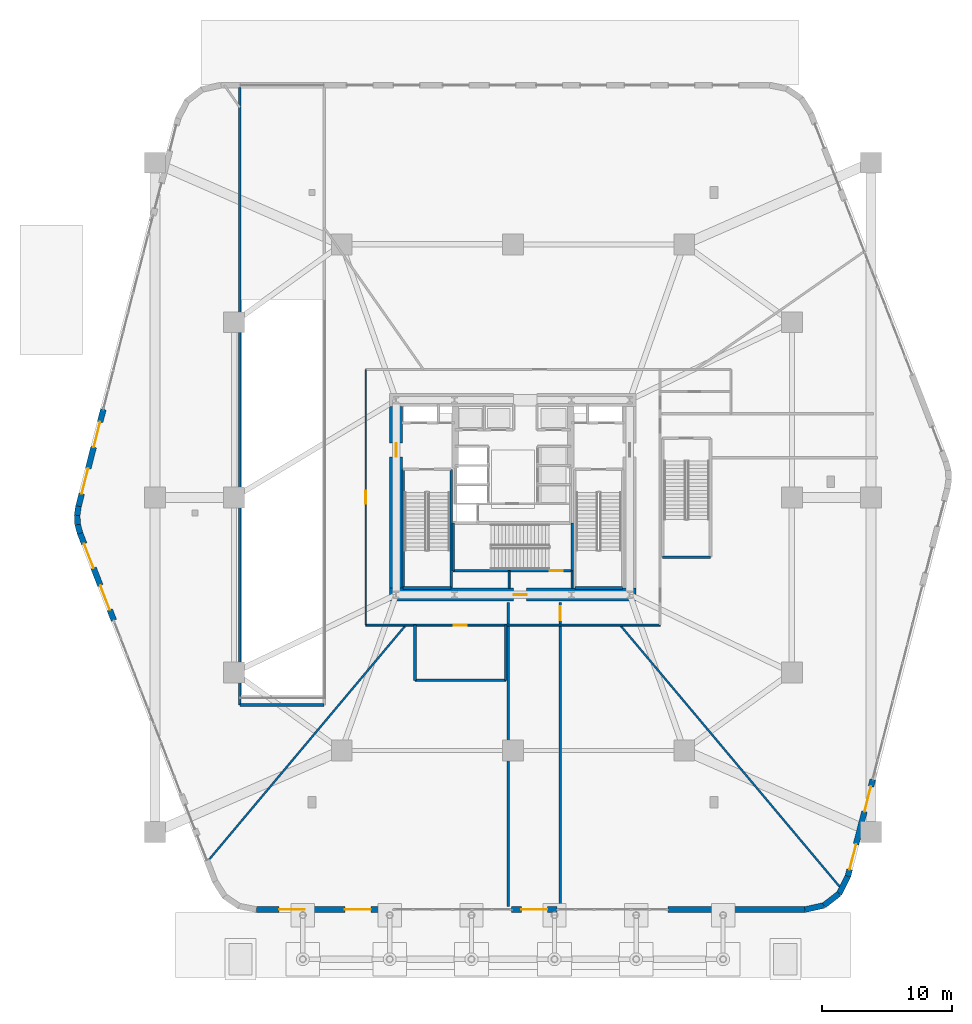
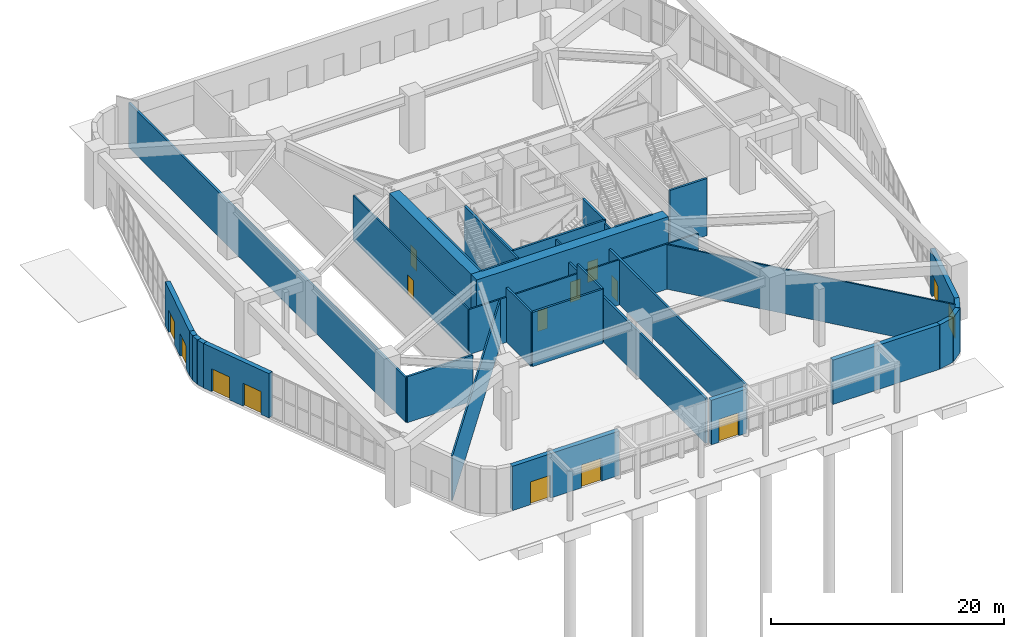
# One storey, part 24 of 35: 35 walls, 15 doors, 15 openings.
"""IFC4 building model written with IfcOpenShell, lengths in metres."""

from ifc_helpers import new_model, si_unit, direction, frame, frame_2d, origin, place, context, subcontext, project, spatial, rectangle, extrude, material, layer, layer_set, type_object, element, fill, save


model = new_model("IFC4")

# Units and contexts
model_context = context("Model", 3, precision=1e-05, world=origin(), true_north=direction((0.0, 1.0)))
body_context = subcontext(model_context, "Body", "Model", "MODEL_VIEW")
ifc_project = project(units=[si_unit("LENGTHUNIT", "METRE"), si_unit("AREAUNIT", "SQUARE_METRE"), si_unit("VOLUMEUNIT", "CUBIC_METRE"), si_unit("PLANEANGLEUNIT", "RADIAN"), si_unit("MASSUNIT", "GRAM", prefix="KILO")], contexts=[model_context])

# Site, building, storey
site_placement = place(None, origin())
site = spatial("IfcSite", under=ifc_project, at=site_placement, CompositionType="ELEMENT")
building_placement = place(site_placement, origin())
building = spatial("IfcBuilding", under=site, at=building_placement, Name="Kilnhurst Terrace Hotel", CompositionType="ELEMENT")
storey_placement = place(building_placement, origin())
storey = spatial("IfcBuildingStorey", under=building, at=storey_placement, Name="L00", CompositionType="ELEMENT", Elevation=0.0)

# Walls
ifc_material_1 = material(Name="Precast concrete C40/50", Category="concrete")
ifc_layer_1 = layer(ifc_material_1, 0.449951171875, Name="Precast concrete C40/50")
ifc_layer_set_1 = layer_set([ifc_layer_1], Name="Precast concrete C40/50")
wall_type_1 = type_object("IfcWallType", Name="WL-BRK-450", PredefinedType="SOLIDWALL", material=ifc_layer_set_1)
wall_1_placement = place(storey_placement, frame((22.512939453125, -31.77490234375, 0.0), z_axis=(0.0, 0.0, 1.0), x_axis=(0.97592514807, 0.218105720613, 0.0)))
element("IfcWall", 1, at=wall_1_placement, inside=storey, type_object=wall_type_1, Name="L00 Rounded Corner Brick Wall C2.1", PredefinedType="SOLIDWALL", context=body_context, shape_type="SweptSolid", body=[
    extrude(rectangle(XDim=1.495361328125, YDim=0.449951171875, at=frame_2d((0.74755859375, 0.0))), origin(), (0.0, 0.0, 1.0), 4.64990234375),
])
wall_2_placement = place(storey_placement, frame((23.972412109375, -31.44873046875, 0.0), z_axis=(0.0, 0.0, 1.0), x_axis=(0.790147566143, 0.612916653157, 0.0)))
element("IfcWall", 2, at=wall_2_placement, inside=storey, type_object=wall_type_1, Name="L00 Rounded Corner Brick Wall C2.2", PredefinedType="SOLIDWALL", context=body_context, shape_type="SweptSolid", body=[
    extrude(rectangle(XDim=1.4697265625, YDim=0.449951171875, at=frame_2d((0.73486328125, 0.0))), origin(), (0.0, 0.0, 1.0), 4.64990234375),
])
wall_3_placement = place(storey_placement, frame((25.1337890625, -30.5478515625, 0.0), z_axis=(0.0, 0.0, 1.0), x_axis=(0.45418744744, 0.890906146902, 0.0)))
element("IfcWall", 3, at=wall_3_placement, inside=storey, type_object=wall_type_1, Name="L00 Rounded Corner Brick Wall C2.3", PredefinedType="SOLIDWALL", context=body_context, shape_type="SweptSolid", body=[
    extrude(rectangle(XDim=1.495361328125, YDim=0.449951171875, at=frame_2d((0.74755859375, 0.0))), origin(), (0.0, 0.0, 1.0), 4.64990234375),
])
wall_4_placement = place(storey_placement, frame((-33.49169921875, -0.68505859375, 0.0), z_axis=(0.0, 0.0, 1.0), x_axis=(-0.147296976116, -0.98909231158, 0.0)))
element("IfcWall", 4, at=wall_4_placement, inside=storey, type_object=wall_type_1, Name="L00 Rounded Corner Brick Wall C6.1", PredefinedType="SOLIDWALL", context=body_context, shape_type="SweptSolid", body=[
    extrude(rectangle(XDim=0.70947265625, YDim=0.449951171875, at=frame_2d((0.354736328125, 0.0))), origin(), (0.0, 0.0, 1.0), 4.64990234375),
])
wall_5_placement = place(storey_placement, frame((-33.59619140625, -1.38671875, 0.0), z_axis=(0.0, 0.0, 1.0), x_axis=(0.059501681244, -0.998228205336, 0.0)))
element("IfcWall", 5, at=wall_5_placement, inside=storey, type_object=wall_type_1, Name="L00 Rounded Corner Brick Wall C6.2", PredefinedType="SOLIDWALL", context=body_context, shape_type="SweptSolid", body=[
    extrude(rectangle(XDim=0.697509765625, YDim=0.449951171875, at=frame_2d((0.3486328125, 0.0))), origin(), (0.0, 0.0, 1.0), 4.64990234375),
])
wall_6_placement = place(storey_placement, frame((-33.5546875, -2.0830078125, 0.0), z_axis=(0.0, 0.0, 1.0), x_axis=(0.263379583897, -0.964692279842, 0.0)))
element("IfcWall", 6, at=wall_6_placement, inside=storey, type_object=wall_type_1, Name="L00 Rounded Corner Brick Wall C6.3", PredefinedType="SOLIDWALL", context=body_context, shape_type="SweptSolid", body=[
    extrude(rectangle(XDim=0.709228515625, YDim=0.449951171875, at=frame_2d((0.3544921875, 0.0))), origin(), (0.0, 0.0, 1.0), 4.64990234375),
])

# Wall, openings, doors
wall_7_placement = place(storey_placement, frame((-19.782470703125, -31.77490234375, 0.0), z_axis=(0.0, 0.0, 1.0), x_axis=(1.0, 0.0, 0.0)))
wall_7 = element("IfcWall", 7, at=wall_7_placement, inside=storey, type_object=wall_type_1, Name="L00 Face 1 Brick Pier 1", PredefinedType="SOLIDWALL", context=body_context, shape_type="SweptSolid", body=[
    extrude(rectangle(XDim=10.573974609375, YDim=0.449951171875, at=frame_2d((5.287109375, 0.0))), origin(), (0.0, 0.0, 1.0), 4.64990234375),
])
opening_1_placement = place(wall_7_placement, frame((1.7490234375, 0.0, 0.0)))
opening_1 = element("IfcOpeningElement", 8, at=opening_1_placement, cuts=wall_7, Name="Opening ED-01", PredefinedType="OPENING", context=body_context, shape_type="SweptSolid", body=[
    extrude(rectangle(XDim=2.0, YDim=2.39990234375, at=frame_2d((1.0, 1.199951171875))), frame((0.0, 0.23486328125, 0.0), z_axis=(0.0, -1.0, 0.0), x_axis=(1.0, 0.0, 0.0)), (0.0, 0.0, 1.0), 0.469970703125),
])
opening_2_placement = place(wall_7_placement, frame((6.824951171875, 0.0, 0.0)))
opening_2 = element("IfcOpeningElement", 9, at=opening_2_placement, cuts=wall_7, Name="Opening ED-02", PredefinedType="OPENING", context=body_context, shape_type="SweptSolid", body=[
    extrude(rectangle(XDim=2.0, YDim=2.39990234375, at=frame_2d((1.0, 1.199951171875))), frame((0.0, 0.23486328125, 0.0), z_axis=(0.0, -1.0, 0.0), x_axis=(1.0, 0.0, 0.0)), (0.0, 0.0, 1.0), 0.469970703125),
])
ifc_material_2 = material(Name="Thermally Broken Bronze Aluminium Alloy 6063-T6 and Laminated Glass", Category="aluminium")
door_type_1 = type_object("IfcDoorType", Name="DR-EXT-EXIT-2000", OperationType="NOTDEFINED", PredefinedType="DOOR", material=ifc_material_2)
door_1_placement = place(opening_1_placement, origin())
door_1 = element("IfcDoor", 10, at=door_1_placement, inside=storey, type_object=door_type_1, Name="L00 Street Exit Door ED-01", OperationType="DOUBLE_SWING_LEFT", OverallHeight=2.39990234375, OverallWidth=2.0, PredefinedType="DOOR", context=body_context, shape_type="SweptSolid", body=[
    extrude(rectangle(XDim=2.0, YDim=2.39990234375, at=frame_2d((1.0, 1.199951171875))), frame((0.0, 0.02490234375, 0.0), z_axis=(0.0, -1.0, 0.0), x_axis=(1.0, 0.0, 0.0)), (0.0, 0.0, 1.0), 0.050048828125),
])
fill(opening_1, door_1)
door_2_placement = place(opening_2_placement, origin())
door_2 = element("IfcDoor", 11, at=door_2_placement, inside=storey, type_object=door_type_1, Name="L00 Street Exit Door ED-02", OperationType="DOUBLE_SWING_LEFT", OverallHeight=2.39990234375, OverallWidth=2.0, PredefinedType="DOOR", context=body_context, shape_type="SweptSolid", body=[
    extrude(rectangle(XDim=2.0, YDim=2.39990234375, at=frame_2d((1.0, 1.199951171875))), frame((0.0, 0.02490234375, 0.0), z_axis=(0.0, -1.0, 0.0), x_axis=(1.0, 0.0, 0.0)), (0.0, 0.0, 1.0), 0.050048828125),
])
fill(opening_2, door_2)

# Wall, opening, door
wall_8_placement = place(storey_placement, frame((-0.1005859375, -31.77490234375, 0.0), z_axis=(0.0, 0.0, 1.0), x_axis=(1.0, 0.0, 0.0)))
wall_8 = element("IfcWall", 12, at=wall_8_placement, inside=storey, type_object=wall_type_1, Name="L00 Face 1 Brick Pier 2", PredefinedType="SOLIDWALL", context=body_context, shape_type="SweptSolid", body=[
    extrude(rectangle(XDim=3.5, YDim=0.449951171875, at=frame_2d((1.75, 0.0))), origin(), (0.0, 0.0, 1.0), 4.64990234375),
])
opening_3_placement = place(wall_8_placement, frame((0.75, 0.0, 0.0)))
opening_3 = element("IfcOpeningElement", 13, at=opening_3_placement, cuts=wall_8, Name="Opening ED-03", PredefinedType="OPENING", context=body_context, shape_type="SweptSolid", body=[
    extrude(rectangle(XDim=2.0, YDim=2.39990234375, at=frame_2d((1.0, 1.199951171875))), frame((0.0, 0.23486328125, 0.0), z_axis=(0.0, -1.0, 0.0), x_axis=(1.0, 0.0, 0.0)), (0.0, 0.0, 1.0), 0.469970703125),
])
door_3_placement = place(opening_3_placement, origin())
door_3 = element("IfcDoor", 14, at=door_3_placement, inside=storey, type_object=door_type_1, Name="L00 Street Exit Door ED-03", OperationType="DOUBLE_SWING_LEFT", OverallHeight=2.39990234375, OverallWidth=2.0, PredefinedType="DOOR", context=body_context, shape_type="SweptSolid", body=[
    extrude(rectangle(XDim=2.0, YDim=2.39990234375, at=frame_2d((1.0, 1.199951171875))), frame((0.0, 0.02490234375, 0.0), z_axis=(0.0, -1.0, 0.0), x_axis=(1.0, 0.0, 0.0)), (0.0, 0.0, 1.0), 0.050048828125),
])
fill(opening_3, door_3)

# Wall
wall_9_placement = place(storey_placement, frame((11.939453125, -31.77490234375, 0.0), z_axis=(0.0, 0.0, 1.0), x_axis=(1.0, 0.0, 0.0)))
element("IfcWall", 15, at=wall_9_placement, inside=storey, type_object=wall_type_1, Name="L00 Face 1 End Brick Pier", PredefinedType="SOLIDWALL", context=body_context, shape_type="SweptSolid", body=[
    extrude(rectangle(XDim=10.573486328125, YDim=0.449951171875, at=frame_2d((5.28662109375, 0.0))), origin(), (0.0, 0.0, 1.0), 4.64990234375),
])

# Wall, openings, doors
wall_10_placement = place(storey_placement, frame((25.81298828125, -29.215576171875, 0.0), z_axis=(0.0, 0.0, 1.0), x_axis=(0.248723131147, 0.968574624917, 0.0)))
wall_10 = element("IfcWall", 16, at=wall_10_placement, inside=storey, type_object=wall_type_1, Name="L00 Face 2 Brick Pier 1", PredefinedType="SOLIDWALL", context=body_context, shape_type="SweptSolid", body=[
    extrude(rectangle(XDim=7.718017578125, YDim=0.449951171875, at=frame_2d((3.85888671875, 0.0))), origin(), (0.0, 0.0, 1.0), 4.64990234375),
])
opening_4_placement = place(wall_10_placement, frame((0.556884765625, 0.0, 0.0)))
opening_4 = element("IfcOpeningElement", 17, at=opening_4_placement, cuts=wall_10, Name="Opening ED-04", PredefinedType="OPENING", context=body_context, shape_type="SweptSolid", body=[
    extrude(rectangle(XDim=2.0, YDim=2.39990234375, at=frame_2d((1.0, 1.199951171875))), frame((0.0, 0.23486328125, 0.0), z_axis=(0.0, -1.0, 0.0), x_axis=(1.0, 0.0, 0.0)), (0.0, 0.0, 1.0), 0.469970703125),
])
opening_5_placement = place(wall_10_placement, frame((5.160888671875, 0.0, 0.0)))
opening_5 = element("IfcOpeningElement", 18, at=opening_5_placement, cuts=wall_10, Name="Opening ED-05", PredefinedType="OPENING", context=body_context, shape_type="SweptSolid", body=[
    extrude(rectangle(XDim=2.0, YDim=2.39990234375, at=frame_2d((1.0, 1.199951171875))), frame((0.0, 0.23486328125, 0.0), z_axis=(0.0, -1.0, 0.0), x_axis=(1.0, 0.0, 0.0)), (0.0, 0.0, 1.0), 0.469970703125),
])
door_4_placement = place(opening_4_placement, origin())
door_4 = element("IfcDoor", 19, at=door_4_placement, inside=storey, type_object=door_type_1, Name="L00 Street Exit Door ED-04", OperationType="DOUBLE_SWING_LEFT", OverallHeight=2.39990234375, OverallWidth=2.0, PredefinedType="DOOR", context=body_context, shape_type="SweptSolid", body=[
    extrude(rectangle(XDim=2.0, YDim=2.39990234375, at=frame_2d((1.0, 1.199951171875))), frame((0.0, 0.02490234375, 0.0), z_axis=(0.0, -1.0, 0.0), x_axis=(1.0, 0.0, 0.0)), (0.0, 0.0, 1.0), 0.050048828125),
])
fill(opening_4, door_4)
door_5_placement = place(opening_5_placement, origin())
door_5 = element("IfcDoor", 20, at=door_5_placement, inside=storey, type_object=door_type_1, Name="L00 Street Exit Door ED-05", OperationType="DOUBLE_SWING_LEFT", OverallHeight=2.39990234375, OverallWidth=2.0, PredefinedType="DOOR", context=body_context, shape_type="SweptSolid", body=[
    extrude(rectangle(XDim=2.0, YDim=2.39990234375, at=frame_2d((1.0, 1.199951171875))), frame((0.0, 0.02490234375, 0.0), z_axis=(0.0, -1.0, 0.0), x_axis=(1.0, 0.0, 0.0)), (0.0, 0.0, 1.0), 0.050048828125),
])
fill(opening_5, door_5)

wall_11_placement = place(storey_placement, frame((-31.572021484375, 6.790283203125, 0.0), z_axis=(0.0, 0.0, 1.0), x_axis=(-0.248730751762, -0.968572667964, 0.0)))
wall_11 = element("IfcWall", 21, at=wall_11_placement, inside=storey, type_object=wall_type_1, Name="L00 Face 5 End Brick Pier", PredefinedType="SOLIDWALL", context=body_context, shape_type="SweptSolid", body=[
    extrude(rectangle(XDim=7.7177734375, YDim=0.449951171875, at=frame_2d((3.85888671875, 0.0))), origin(), (0.0, 0.0, 1.0), 4.64990234375),
])
opening_6_placement = place(wall_11_placement, frame((1.007080078125, 0.0, 0.0)))
opening_6 = element("IfcOpeningElement", 22, at=opening_6_placement, cuts=wall_11, Name="Opening ED-22", PredefinedType="OPENING", context=body_context, shape_type="SweptSolid", body=[
    extrude(rectangle(XDim=2.0, YDim=2.39990234375, at=frame_2d((1.0, 1.199951171875))), frame((0.0, 0.23486328125, 0.0), z_axis=(0.0, -1.0, 0.0), x_axis=(1.0, 0.0, 0.0)), (0.0, 0.0, 1.0), 0.469970703125),
])
opening_7_placement = place(wall_11_placement, frame((4.7109375, 0.0, 0.0)))
opening_7 = element("IfcOpeningElement", 23, at=opening_7_placement, cuts=wall_11, Name="Opening ED-23", PredefinedType="OPENING", context=body_context, shape_type="SweptSolid", body=[
    extrude(rectangle(XDim=2.0, YDim=2.39990234375, at=frame_2d((1.0, 1.199951171875))), frame((0.0, 0.23486328125, 0.0), z_axis=(0.0, -1.0, 0.0), x_axis=(1.0, 0.0, 0.0)), (0.0, 0.0, 1.0), 0.469970703125),
])
door_6_placement = place(opening_6_placement, origin())
door_6 = element("IfcDoor", 24, at=door_6_placement, inside=storey, type_object=door_type_1, Name="L00 Street Exit Door ED-22", OperationType="DOUBLE_SWING_LEFT", OverallHeight=2.39990234375, OverallWidth=2.0, PredefinedType="DOOR", context=body_context, shape_type="SweptSolid", body=[
    extrude(rectangle(XDim=2.0, YDim=2.39990234375, at=frame_2d((1.0, 1.199951171875))), frame((0.0, 0.02490234375, 0.0), z_axis=(0.0, -1.0, 0.0), x_axis=(1.0, 0.0, 0.0)), (0.0, 0.0, 1.0), 0.050048828125),
])
fill(opening_6, door_6)
door_7_placement = place(opening_7_placement, origin())
door_7 = element("IfcDoor", 25, at=door_7_placement, inside=storey, type_object=door_type_1, Name="L00 Street Exit Door ED-23", OperationType="DOUBLE_SWING_LEFT", OverallHeight=2.39990234375, OverallWidth=2.0, PredefinedType="DOOR", context=body_context, shape_type="SweptSolid", body=[
    extrude(rectangle(XDim=2.0, YDim=2.39990234375, at=frame_2d((1.0, 1.199951171875))), frame((0.0, 0.02490234375, 0.0), z_axis=(0.0, -1.0, 0.0), x_axis=(1.0, 0.0, 0.0)), (0.0, 0.0, 1.0), 0.050048828125),
])
fill(opening_7, door_7)

wall_12_placement = place(storey_placement, frame((-33.367919921875, -2.76708984375, 0.0), z_axis=(0.0, 0.0, 1.0), x_axis=(0.361647043452, -0.932315084058, 0.0)))
wall_12 = element("IfcWall", 26, at=wall_12_placement, inside=storey, type_object=wall_type_1, Name="L00 Face 6 Brick Pier 1", PredefinedType="SOLIDWALL", context=body_context, shape_type="SweptSolid", body=[
    extrude(rectangle(XDim=7.195068359375, YDim=0.449951171875, at=frame_2d((3.59765625, 0.0))), origin(), (0.0, 0.0, 1.0), 4.64990234375),
])
opening_8_placement = place(wall_12_placement, frame((0.87109375, 0.0, 0.0)))
opening_8 = element("IfcOpeningElement", 27, at=opening_8_placement, cuts=wall_12, Name="Opening ED-24", PredefinedType="OPENING", context=body_context, shape_type="SweptSolid", body=[
    extrude(rectangle(XDim=2.0, YDim=2.39990234375, at=frame_2d((1.0, 1.199951171875))), frame((0.0, 0.23486328125, 0.0), z_axis=(0.0, -1.0, 0.0), x_axis=(1.0, 0.0, 0.0)), (0.0, 0.0, 1.0), 0.469970703125),
])
opening_9_placement = place(wall_12_placement, frame((4.323974609375, 0.0, 0.0)))
opening_9 = element("IfcOpeningElement", 28, at=opening_9_placement, cuts=wall_12, Name="Opening ED-25", PredefinedType="OPENING", context=body_context, shape_type="SweptSolid", body=[
    extrude(rectangle(XDim=2.0, YDim=2.39990234375, at=frame_2d((1.0, 1.199951171875))), frame((0.0, 0.23486328125, 0.0), z_axis=(0.0, -1.0, 0.0), x_axis=(1.0, 0.0, 0.0)), (0.0, 0.0, 1.0), 0.469970703125),
])
door_8_placement = place(opening_8_placement, origin())
door_8 = element("IfcDoor", 29, at=door_8_placement, inside=storey, type_object=door_type_1, Name="L00 Street Exit Door ED-24", OperationType="DOUBLE_SWING_LEFT", OverallHeight=2.39990234375, OverallWidth=2.0, PredefinedType="DOOR", context=body_context, shape_type="SweptSolid", body=[
    extrude(rectangle(XDim=2.0, YDim=2.39990234375, at=frame_2d((1.0, 1.199951171875))), frame((0.0, 0.02490234375, 0.0), z_axis=(0.0, -1.0, 0.0), x_axis=(1.0, 0.0, 0.0)), (0.0, 0.0, 1.0), 0.050048828125),
])
fill(opening_8, door_8)
door_9_placement = place(opening_9_placement, origin())
door_9 = element("IfcDoor", 30, at=door_9_placement, inside=storey, type_object=door_type_1, Name="L00 Street Exit Door ED-25", OperationType="DOUBLE_SWING_LEFT", OverallHeight=2.39990234375, OverallWidth=2.0, PredefinedType="DOOR", context=body_context, shape_type="SweptSolid", body=[
    extrude(rectangle(XDim=2.0, YDim=2.39990234375, at=frame_2d((1.0, 1.199951171875))), frame((0.0, 0.02490234375, 0.0), z_axis=(0.0, -1.0, 0.0), x_axis=(1.0, 0.0, 0.0)), (0.0, 0.0, 1.0), 0.050048828125),
])
fill(opening_9, door_9)

# Wall, opening, door
ifc_material_3 = material(Name="Acoustic Double-Gypsum Corridor Partition Assembly")
ifc_layer_2 = layer(ifc_material_3, 0.14990234375, Name="Acoustic Double-Gypsum Corridor Partition Assembly")
ifc_layer_set_2 = layer_set([ifc_layer_2], Name="Acoustic Double-Gypsum Corridor Partition Assembly")
wall_type_2 = type_object("IfcWallType", Name="WL-COR-150", PredefinedType="PARTITIONING", material=ifc_layer_set_2)
wall_13_placement = place(storey_placement, frame((-11.35009765625, -9.85009765625, 0.0), z_axis=(0.0, 0.0, 1.0), x_axis=(0.0, 1.0, 0.0)))
wall_13 = element("IfcWall", 31, at=wall_13_placement, inside=storey, type_object=wall_type_2, Name="L00 Interior Wall WL-L00-COR-01", PredefinedType="PARTITIONING", context=body_context, shape_type="SweptSolid", body=[
    extrude(rectangle(XDim=19.7001953125, YDim=0.14990234375, at=frame_2d((9.85009765625, 0.0))), origin(), (0.0, 0.0, 1.0), 4.721923828125),
])
opening_10_placement = place(wall_13_placement, frame((9.35009765625, 0.0, 0.0)))
opening_10 = element("IfcOpeningElement", 32, at=opening_10_placement, cuts=wall_13, Name="Opening D-10A", PredefinedType="OPENING", context=body_context, shape_type="SweptSolid", body=[
    extrude(rectangle(XDim=1.0, YDim=2.030029296875, at=frame_2d((0.5, 1.01513671875))), frame((0.0, 0.0849609375, 0.0), z_axis=(0.0, -1.0, 0.0), x_axis=(1.0, 0.0, 0.0)), (0.0, 0.0, 1.0), 0.169921875),
])
ifc_material_4 = material(Name="Solid-Core American White Oak Interior Door")
door_type_2 = type_object("IfcDoorType", Name="DR-INT-1000", OperationType="NOTDEFINED", PredefinedType="DOOR", material=ifc_material_4)
door_10_placement = place(opening_10_placement, origin())
door_10 = element("IfcDoor", 33, at=door_10_placement, inside=storey, type_object=door_type_2, Name="L00 Loading Dock and Refuse Handling Hall Door", OperationType="SINGLE_SWING_RIGHT", OverallHeight=2.030029296875, OverallWidth=1.0, PredefinedType="DOOR", context=body_context, shape_type="SweptSolid", body=[
    extrude(rectangle(XDim=1.0, YDim=2.030029296875, at=frame_2d((0.5, 1.01513671875))), frame((0.0, 0.02490234375, 0.0), z_axis=(0.0, -1.0, 0.0), x_axis=(1.0, 0.0, 0.0)), (0.0, 0.0, 1.0), 0.050048828125),
])
fill(opening_10, door_10)

wall_14_placement = place(storey_placement, frame((11.35009765625, -9.85009765625, 0.0), z_axis=(0.0, 0.0, 1.0), x_axis=(-1.0, 0.0, 0.0)))
wall_14 = element("IfcWall", 34, at=wall_14_placement, inside=storey, type_object=wall_type_2, Name="L00 Interior Wall WL-L00-COR-04", PredefinedType="PARTITIONING", context=body_context, shape_type="SweptSolid", body=[
    extrude(rectangle(XDim=22.7001953125, YDim=0.14990234375, at=frame_2d((11.35009765625, 0.0))), origin(), (0.0, 0.0, 1.0), 4.721923828125),
])
opening_11_placement = place(wall_14_placement, frame((14.89990234375, 0.0, 0.0)))
opening_11 = element("IfcOpeningElement", 35, at=opening_11_placement, cuts=wall_14, Name="Opening D-90B", PredefinedType="OPENING", context=body_context, shape_type="SweptSolid", body=[
    extrude(rectangle(XDim=1.0, YDim=2.14990234375, at=frame_2d((0.5, 1.074951171875))), frame((0.0, 0.0849609375, 0.0), z_axis=(0.0, -1.0, 0.0), x_axis=(1.0, 0.0, 0.0)), (0.0, 0.0, 1.0), 0.169921875),
])
ifc_material_5 = material(Name="Painted Hollow Metal Steel ASTM A36 Fire Door", Category="steel")
door_type_3 = type_object("IfcDoorType", Name="DR-FD90-1000", OperationType="NOTDEFINED", PredefinedType="DOOR", material=ifc_material_5)
door_11_placement = place(opening_11_placement, origin())
door_11 = element("IfcDoor", 36, at=door_11_placement, inside=storey, type_object=door_type_3, Name="L00 Fire Command Center Door", OperationType="SINGLE_SWING_LEFT", OverallHeight=2.14990234375, OverallWidth=1.0, PredefinedType="DOOR", context=body_context, shape_type="SweptSolid", body=[
    extrude(rectangle(XDim=1.0, YDim=2.14990234375, at=frame_2d((0.5, 1.074951171875))), frame((0.0, 0.02490234375, 0.0), z_axis=(0.0, -1.0, 0.0), x_axis=(1.0, 0.0, 0.0)), (0.0, 0.0, 1.0), 0.050048828125),
])
fill(opening_11, door_11)

ifc_material_6 = material(Name="Concrete C80/95", Category="concrete")
ifc_layer_3 = layer(ifc_material_6, 1.0, Name="Concrete C80/95")
ifc_layer_set_3 = layer_set([ifc_layer_3], Name="Concrete C80/95")
wall_type_3 = type_object("IfcWallType", Name="WL-CORE-1000", PredefinedType="SHEAR", material=ifc_layer_set_3)
wall_15_placement = place(storey_placement, frame((-9.5, -7.5, 0.0), z_axis=(0.0, 0.0, 1.0), x_axis=(1.0, 0.0, 0.0)))
wall_15 = element("IfcWall", 37, at=wall_15_placement, inside=storey, type_object=wall_type_3, Name="L00 Core South Shear Wall", PredefinedType="SHEAR", context=body_context, shape_type="SweptSolid", body=[
    extrude(rectangle(XDim=19.0, YDim=1.0, at=frame_2d((9.5, 0.0))), origin(), (0.0, 0.0, 1.0), 6.0),
])
opening_12_placement = place(wall_15_placement, frame((9.550048828125, 0.0, 0.0)))
opening_12 = element("IfcOpeningElement", 38, at=opening_12_placement, cuts=wall_15, Name="Opening D-90B", PredefinedType="OPENING", context=body_context, shape_type="SweptSolid", body=[
    extrude(rectangle(XDim=1.0, YDim=2.14990234375, at=frame_2d((0.5, 1.074951171875))), frame((0.0, 0.510009765625, 0.0), z_axis=(0.0, -1.0, 0.0), x_axis=(1.0, 0.0, 0.0)), (0.0, 0.0, 1.0), 1.02001953125),
])
door_12_placement = place(opening_12_placement, origin())
door_12 = element("IfcDoor", 39, at=door_12_placement, inside=storey, type_object=door_type_3, Name="L00 Stair ST-3 Corridor Door", OperationType="SINGLE_SWING_RIGHT", OverallHeight=2.14990234375, OverallWidth=1.0, PredefinedType="DOOR", context=body_context, shape_type="SweptSolid", body=[
    extrude(rectangle(XDim=1.0, YDim=2.14990234375, at=frame_2d((0.5, 1.074951171875))), frame((0.0, 0.02490234375, 0.0), z_axis=(0.0, -1.0, 0.0), x_axis=(1.0, 0.0, 0.0)), (0.0, 0.0, 1.0), 0.050048828125),
])
fill(opening_12, door_12)

wall_16_placement = place(storey_placement, frame((-9.0, -7.0, 0.0), z_axis=(0.0, 0.0, 1.0), x_axis=(0.0, 1.0, 0.0)))
wall_16 = element("IfcWall", 40, at=wall_16_placement, inside=storey, type_object=wall_type_3, Name="L00 Core West Shear Wall", PredefinedType="SHEAR", context=body_context, shape_type="SweptSolid", body=[
    extrude(rectangle(XDim=14.0, YDim=1.0, at=frame_2d((7.0, 0.0))), origin(), (0.0, 0.0, 1.0), 6.0),
])
opening_13_placement = place(wall_16_placement, frame((10.125, 0.0, 0.0)))
opening_13 = element("IfcOpeningElement", 41, at=opening_13_placement, cuts=wall_16, Name="Opening D-90A", PredefinedType="OPENING", context=body_context, shape_type="SweptSolid", body=[
    extrude(rectangle(XDim=1.050048828125, YDim=2.14990234375, at=frame_2d((0.52490234375, 1.074951171875))), frame((0.0, 0.510009765625, 0.0), z_axis=(0.0, -1.0, 0.0), x_axis=(1.0, 0.0, 0.0)), (0.0, 0.0, 1.0), 1.02001953125),
])
door_type_4 = type_object("IfcDoorType", Name="DR-FD90-1050", OperationType="NOTDEFINED", PredefinedType="DOOR", material=ifc_material_5)
door_13_placement = place(opening_13_placement, origin())
door_13 = element("IfcDoor", 42, at=door_13_placement, inside=storey, type_object=door_type_4, Name="L00 West Firefighting Lobby Door", OperationType="SINGLE_SWING_RIGHT", OverallHeight=2.14990234375, OverallWidth=1.050048828125, PredefinedType="DOOR", context=body_context, shape_type="SweptSolid", body=[
    extrude(rectangle(XDim=1.050048828125, YDim=2.14990234375, at=frame_2d((0.52490234375, 1.074951171875))), frame((0.0, 0.02490234375, 0.0), z_axis=(0.0, -1.0, 0.0), x_axis=(1.0, 0.0, 0.0)), (0.0, 0.0, 1.0), 0.050048828125),
])
fill(opening_13, door_13)

# Walls
ifc_material_7 = material(Name="150 mm Acoustic Gypsum Hospitality Partition")
ifc_layer_4 = layer(ifc_material_7, 0.14990234375, Name="150 mm Acoustic Gypsum Hospitality Partition")
ifc_layer_set_4 = layer_set([ifc_layer_4], Name="150 mm Acoustic Gypsum Hospitality Partition")
wall_type_4 = type_object("IfcWallType", Name="WL-PART-150", PredefinedType="PARTITIONING", material=ifc_layer_set_4)
wall_17_placement = place(storey_placement, frame((-8.26513671875, -9.85009765625, 0.0), z_axis=(0.0, 0.0, 1.0), x_axis=(-0.642790692764, -0.766041856099, 0.0)))
element("IfcWall", 43, at=wall_17_placement, inside=storey, type_object=wall_type_4, Name="L00 Interior Wall WL-L00-PDIV-1-1", PredefinedType="PARTITIONING", context=body_context, shape_type="SweptSolid", body=[
    extrude(rectangle(XDim=23.783935546875, YDim=0.14990234375, at=frame_2d((11.89208984375, 0.0))), origin(), (0.0, 0.0, 1.0), 4.669921875),
])
wall_18_placement = place(storey_placement, frame((8.26513671875, -9.85009765625, 0.0), z_axis=(0.0, 0.0, 1.0), x_axis=(0.642789548222, -0.766042816491, 0.0)))
element("IfcWall", 44, at=wall_18_placement, inside=storey, type_object=wall_type_4, Name="L00 Interior Wall WL-L00-PDIV-2-1", PredefinedType="PARTITIONING", context=body_context, shape_type="SweptSolid", body=[
    extrude(rectangle(XDim=26.362548828125, YDim=0.14990234375, at=frame_2d((13.18115234375, 0.0))), origin(), (0.0, 0.0, 1.0), 4.669921875),
])
ifc_material_8 = material(Name="Fire-Rated Gypsum Shaftliner Assembly")
ifc_layer_5 = layer(ifc_material_8, 0.14990234375, Name="Fire-Rated Gypsum Shaftliner Assembly")
ifc_layer_set_5 = layer_set([ifc_layer_5], Name="Fire-Rated Gypsum Shaftliner Assembly")
wall_type_5 = type_object("IfcWallType", Name="WL-SHAFT-150", PredefinedType="PARTITIONING", material=ifc_layer_set_5)
for number, where, z_axis, x_axis, name in (
    (45, (-0.300048828125, -7.02001953125, 0.0), (0.0, 0.0, 1.0), (0.0, 1.0, 0.0), "L00 Interior Wall WL-L00-ST3-PSGW"),
    (46, (4.55810546875, -7.02001953125, 0.0), (0.0, 0.0, 1.0), (0.0, 1.0, 0.0), "L00 Interior Wall WL-L00-ST3-PSGE"),
):
    element("IfcWall", number, at=place(storey_placement, frame(where, z_axis=z_axis, x_axis=x_axis)), inside=storey, type_object=wall_type_5, Name=name, PredefinedType="PARTITIONING", context=body_context, shape_type="SweptSolid", body=[
        extrude(rectangle(XDim=1.362060546875, YDim=0.14990234375, at=frame_2d((0.68115234375, 0.0))), origin(), (0.0, 0.0, 1.0), 5.679931640625),
    ])
ifc_material_9 = material(Name="Autoclaved Aerated Concrete C30/37 and Gypsum Shaft Assembly", Category="concrete")
ifc_layer_6 = layer(ifc_material_9, 0.199951171875, Name="Autoclaved Aerated Concrete C30/37 and Gypsum Shaft Assembly")
ifc_layer_set_6 = layer_set([ifc_layer_6], Name="Autoclaved Aerated Concrete C30/37 and Gypsum Shaft Assembly")
wall_type_6 = type_object("IfcWallType", Name="WL-SHAFT-200", PredefinedType="PARTITIONING", material=ifc_layer_set_6)
wall_19_placement = place(storey_placement, frame((-0.35009765625, -31.550048828125, 0.0), z_axis=(0.0, 0.0, 1.0), x_axis=(0.0, 1.0, 0.0)))
element("IfcWall", 47, at=wall_19_placement, inside=storey, type_object=wall_type_6, Name="L00 Interior Wall WL-L00-S3PSG-W", PredefinedType="PARTITIONING", context=body_context, shape_type="SweptSolid", body=[
    extrude(rectangle(XDim=23.449951171875, YDim=0.199951171875, at=frame_2d((11.72509765625, 0.0))), origin(), (0.0, 0.0, 1.0), 4.728515625),
])

# Wall, opening, door
wall_20_placement = place(storey_placement, frame((3.64990234375, -31.550048828125, 0.0), z_axis=(0.0, 0.0, 1.0), x_axis=(0.0, 1.0, 0.0)))
wall_20 = element("IfcWall", 48, at=wall_20_placement, inside=storey, type_object=wall_type_6, Name="L00 Interior Wall WL-L00-S3PSG-E", PredefinedType="PARTITIONING", context=body_context, shape_type="SweptSolid", body=[
    extrude(rectangle(XDim=23.449951171875, YDim=0.199951171875, at=frame_2d((11.72509765625, 0.0))), origin(), (0.0, 0.0, 1.0), 4.728515625),
])
opening_14_placement = place(wall_20_placement, frame((22.10009765625, 0.0, 0.0)))
opening_14 = element("IfcOpeningElement", 49, at=opening_14_placement, cuts=wall_20, Name="Opening D-90A", PredefinedType="OPENING", context=body_context, shape_type="SweptSolid", body=[
    extrude(rectangle(XDim=1.050048828125, YDim=2.14990234375, at=frame_2d((0.52490234375, 1.074951171875))), frame((0.0, 0.10986328125, 0.0), z_axis=(0.0, -1.0, 0.0), x_axis=(1.0, 0.0, 0.0)), (0.0, 0.0, 1.0), 0.219970703125),
])
door_14_placement = place(opening_14_placement, origin())
door_14 = element("IfcDoor", 50, at=door_14_placement, inside=storey, type_object=door_type_4, Name="L00 South Exit Passageway Door", OperationType="SINGLE_SWING_LEFT", OverallHeight=2.14990234375, OverallWidth=1.050048828125, PredefinedType="DOOR", context=body_context, shape_type="SweptSolid", body=[
    extrude(rectangle(XDim=1.050048828125, YDim=2.14990234375, at=frame_2d((0.52490234375, 1.074951171875))), frame((0.0, 0.02490234375, 0.0), z_axis=(0.0, -1.0, 0.0), x_axis=(1.0, 0.0, 0.0)), (0.0, 0.0, 1.0), 0.050048828125),
])
fill(opening_14, door_14)

# Walls
wall_21_placement = place(storey_placement, frame((-7.550048828125, -14.10009765625, 0.0), z_axis=(0.0, 0.0, 1.0), x_axis=(0.0, 1.0, 0.0)))
element("IfcWall", 51, at=wall_21_placement, inside=storey, type_object=wall_type_6, Name="L00 Interior Wall WL-L00-FCC-W", PredefinedType="PARTITIONING", context=body_context, shape_type="SweptSolid", body=[
    extrude(rectangle(XDim=4.25, YDim=0.199951171875, at=frame_2d((2.125, 0.0))), origin(), (0.0, 0.0, 1.0), 5.679931640625),
])
wall_22_placement = place(storey_placement, frame((-7.550048828125, -14.10009765625, 0.0), z_axis=(0.0, 0.0, 1.0), x_axis=(1.0, 0.0, 0.0)))
element("IfcWall", 52, at=wall_22_placement, inside=storey, type_object=wall_type_6, Name="L00 Interior Wall WL-L00-FCC-S", PredefinedType="PARTITIONING", context=body_context, shape_type="SweptSolid", body=[
    extrude(rectangle(XDim=7.0, YDim=0.199951171875, at=frame_2d((3.5, 0.0))), origin(), (0.0, 0.0, 1.0), 5.679931640625),
])
wall_23_placement = place(storey_placement, frame((-0.550048828125, -14.10009765625, 0.0), z_axis=(0.0, 0.0, 1.0), x_axis=(0.0, 1.0, 0.0)))
element("IfcWall", 53, at=wall_23_placement, inside=storey, type_object=wall_type_6, Name="L00 Interior Wall WL-L00-FCC-E", PredefinedType="PARTITIONING", context=body_context, shape_type="SweptSolid", body=[
    extrude(rectangle(XDim=4.25, YDim=0.199951171875, at=frame_2d((2.125, 0.0))), origin(), (0.0, 0.0, 1.0), 5.679931640625),
])
wall_24_placement = place(storey_placement, frame((-21.050048828125, -16.0, 0.0), z_axis=(0.0, 0.0, 1.0), x_axis=(0.0, 1.0, 0.0)))
element("IfcWall", 54, at=wall_24_placement, inside=storey, type_object=wall_type_6, Name="L00 Interior Wall WL-L00-RAMP-W", PredefinedType="PARTITIONING", context=body_context, shape_type="SweptSolid", body=[
    extrude(rectangle(XDim=47.60009765625, YDim=0.199951171875, at=frame_2d((23.800048828125, 0.0))), origin(), (0.0, 0.0, 1.0), 4.669921875),
])
wall_25_placement = place(storey_placement, frame((-21.050048828125, -16.0, 0.0), z_axis=(0.0, 0.0, 1.0), x_axis=(1.0, 0.0, 0.0)))
element("IfcWall", 55, at=wall_25_placement, inside=storey, type_object=wall_type_6, Name="L00 Interior Wall WL-L00-RAMP-S", PredefinedType="PARTITIONING", context=body_context, shape_type="SweptSolid", body=[
    extrude(rectangle(XDim=6.5, YDim=0.199951171875, at=frame_2d((3.25, 0.0))), origin(), (0.0, 0.0, 1.0), 4.814208984375),
])
ifc_material_10 = material(Name="Concrete C50/60", Category="concrete")
ifc_layer_7 = layer(ifc_material_10, 0.199951171875, Name="Concrete C50/60")
ifc_layer_set_7 = layer_set([ifc_layer_7], Name="Concrete C50/60")
wall_type_7 = type_object("IfcWallType", Name="WL-STAIR-RC-200", PredefinedType="SHEAR", material=ifc_layer_set_7)
for number, where, z_axis, x_axis, name in (
    (56, (-8.4580078125, -6.985107421875, 0.0), (0.0, 0.0, 1.0), (0.0, 1.0, 0.0), "L00 Structural Stair Shaft Wall WL-L00-ST1-W"),
    (57, (-4.77197265625, -6.985107421875, 0.0), (0.0, 0.0, 1.0), (0.0, 1.0, 0.0), "L00 Structural Stair Shaft Wall WL-L00-ST1-E"),
):
    element("IfcWall", number, at=place(storey_placement, frame(where, z_axis=z_axis, x_axis=x_axis)), inside=storey, type_object=wall_type_7, Name=name, PredefinedType="SHEAR", context=body_context, shape_type="SweptSolid", body=[
        extrude(rectangle(XDim=9.14306640625, YDim=0.199951171875, at=frame_2d((4.571533203125, 0.0))), origin(), (0.0, 0.0, 1.0), 6.0),
    ])
for number, where, z_axis, x_axis, name in (
    (58, (-8.4580078125, -6.985107421875, 0.0), (0.0, 0.0, 1.0), (1.0, 0.0, 0.0), "L00 Structural Stair Shaft Wall WL-L00-ST1-S"),
    (59, (4.77197265625, -6.985107421875, 0.0), (0.0, 0.0, 1.0), (1.0, 0.0, 0.0), "L00 Structural Stair Shaft Wall WL-L00-ST2-S"),
    (60, (-4.60791015625, -5.657958984375, 0.0), (0.0, 0.0, 1.0), (0.0, 1.0, 0.0), "L00 Structural Stair Shaft Wall WL-L00-ST3-W"),
):
    element("IfcWall", number, at=place(storey_placement, frame(where, z_axis=z_axis, x_axis=x_axis)), inside=storey, type_object=wall_type_7, Name=name, PredefinedType="SHEAR", context=body_context, shape_type="SweptSolid", body=[
        extrude(rectangle(XDim=3.68603515625, YDim=0.199951171875, at=frame_2d((1.843017578125, 0.0))), origin(), (0.0, 0.0, 1.0), 6.0),
    ])

# Wall, opening, door
wall_26_placement = place(storey_placement, frame((-4.60791015625, -5.657958984375, 0.0), z_axis=(0.0, 0.0, 1.0), x_axis=(1.0, 0.0, 0.0)))
wall_26 = element("IfcWall", 61, at=wall_26_placement, inside=storey, type_object=wall_type_7, Name="L00 Structural Stair Shaft Wall WL-L00-ST3-S", PredefinedType="SHEAR", context=body_context, shape_type="SweptSolid", body=[
    extrude(rectangle(XDim=9.166015625, YDim=0.199951171875, at=frame_2d((4.5830078125, 0.0))), origin(), (0.0, 0.0, 1.0), 6.0),
])
opening_15_placement = place(wall_26_placement, frame((7.449951171875, 0.0, 0.0)))
opening_15 = element("IfcOpeningElement", 62, at=opening_15_placement, cuts=wall_26, Name="Opening D-90B", PredefinedType="OPENING", context=body_context, shape_type="SweptSolid", body=[
    extrude(rectangle(XDim=1.0, YDim=2.14990234375, at=frame_2d((0.5, 1.074951171875))), frame((0.0, 0.10986328125, 0.0), z_axis=(0.0, -1.0, 0.0), x_axis=(1.0, 0.0, 0.0)), (0.0, 0.0, 1.0), 0.219970703125),
])
door_15_placement = place(opening_15_placement, origin())
door_15 = element("IfcDoor", 63, at=door_15_placement, inside=storey, type_object=door_type_3, Name="L00 Stair ST-3 Shaft Door", OperationType="SINGLE_SWING_LEFT", OverallHeight=2.14990234375, OverallWidth=1.0, PredefinedType="DOOR", context=body_context, shape_type="SweptSolid", body=[
    extrude(rectangle(XDim=1.0, YDim=2.14990234375, at=frame_2d((0.5, 1.074951171875))), frame((0.0, 0.02490234375, 0.0), z_axis=(0.0, -1.0, 0.0), x_axis=(1.0, 0.0, 0.0)), (0.0, 0.0, 1.0), 0.050048828125),
])
fill(opening_15, door_15)

# Walls
for number, where, z_axis, x_axis, name in (
    (64, (4.55810546875, -5.657958984375, 0.0), (0.0, 0.0, 1.0), (0.0, 1.0, 0.0), "L00 Structural Stair Shaft Wall WL-L00-ST3-E"),
    (65, (11.5419921875, -4.60791015625, 0.0), (0.0, 0.0, 1.0), (1.0, 0.0, 0.0), "L00 Podium Stair ST-4 Structural Shaft Wall WL-L00-ST4-S"),
):
    element("IfcWall", number, at=place(storey_placement, frame(where, z_axis=z_axis, x_axis=x_axis)), inside=storey, type_object=wall_type_7, Name=name, PredefinedType="SHEAR", context=body_context, shape_type="SweptSolid", body=[
        extrude(rectangle(XDim=3.68603515625, YDim=0.199951171875, at=frame_2d((1.843017578125, 0.0))), origin(), (0.0, 0.0, 1.0), 6.0),
    ])

save(model, "model.ifc")
